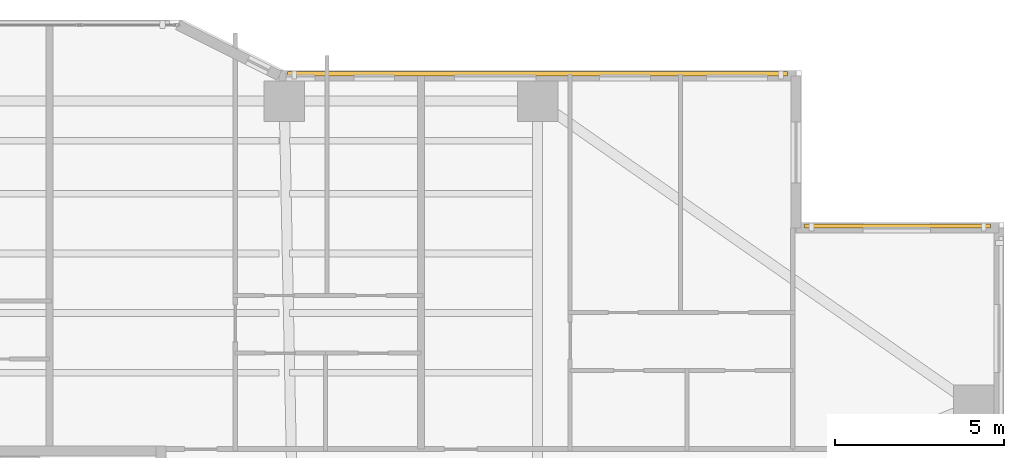
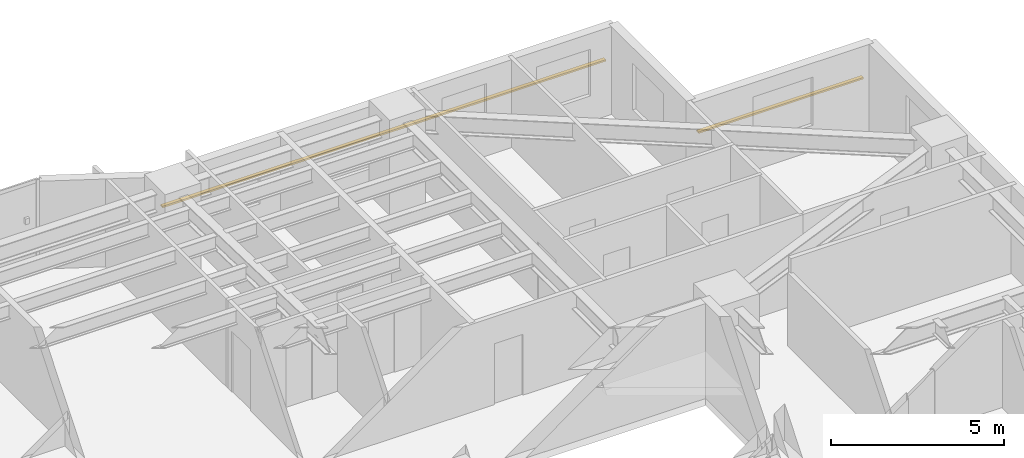
# One storey, part 22 of 22: 2 shading devices.
"""IFC4 building model written with IfcOpenShell, lengths in metres."""

from ifc_helpers import new_model, si_unit, direction, frame, origin, origin_2d, place, context, subcontext, project, spatial, rectangle, extrude, material, material_profile, profile_set, type_object, element, save


model = new_model("IFC4")

# Units and contexts
model_context = context("Model", 3, precision=1e-05, world=origin(), true_north=direction((0.0, 1.0)))
body_context = subcontext(model_context, "Body", "Model", "MODEL_VIEW")
ifc_project = project(units=[si_unit("LENGTHUNIT", "METRE"), si_unit("AREAUNIT", "SQUARE_METRE"), si_unit("VOLUMEUNIT", "CUBIC_METRE"), si_unit("PLANEANGLEUNIT", "RADIAN"), si_unit("MASSUNIT", "GRAM", prefix="KILO")], contexts=[model_context])

# Site, building, storey
site_placement = place(None, origin())
site = spatial("IfcSite", under=ifc_project, at=site_placement, CompositionType="ELEMENT")
building_placement = place(site_placement, origin())
building = spatial("IfcBuilding", under=site, at=building_placement, Name="Tarnavaz Court Tower", CompositionType="ELEMENT")
storey_placement = place(building_placement, frame((0.0, 0.0, 57.5)))
storey = spatial("IfcBuildingStorey", under=building, at=storey_placement, Name="L15", CompositionType="ELEMENT", Elevation=57.5)

# Shading devices
ifc_material = material(Name="Kiln-Fired Khorasan Terracotta Ceramic", Category="masonry")
ifc_material_profile = material_profile(ifc_material, rectangle(XDim=0.1201171875, YDim=0.06005859375, at=origin_2d()), Name="TC BAGUETTE 120X60")
ifc_profile_set = profile_set([ifc_material_profile], Name="Kiln-Fired Khorasan Terracotta Ceramic")
shading_device_type = type_object("IfcShadingDeviceType", Name="SD-BAG-120", PredefinedType="USERDEFINED", material=ifc_profile_set)
shading_device_1_placement = place(storey_placement, frame((7.60009765625, 23.610107421875, 1.85009765625), z_axis=(1.0, 0.0, 0.0), x_axis=(0.0, 1.0, 0.0)))
element("IfcShadingDevice", 1, at=shading_device_1_placement, inside=storey, type_object=shading_device_type, Name="L15 Terracotta Baguette Screen FBG09", ObjectType="BAGUETTE", PredefinedType="USERDEFINED", context=body_context, shape_type="SweptSolid", body=[
    extrude(rectangle(XDim=0.1201171875, YDim=0.06005859375, at=origin_2d()), origin(), (0.0, 0.0, 1.0), 14.7998046875),
])
shading_device_2_placement = place(storey_placement, frame((22.89990234375, 19.110107421875, 1.85009765625), z_axis=(1.0, 0.0, 0.0), x_axis=(0.0, 1.0, 0.0)))
element("IfcShadingDevice", 2, at=shading_device_2_placement, inside=storey, type_object=shading_device_type, Name="L15 Terracotta Baguette Screen FBG11", ObjectType="BAGUETTE", PredefinedType="USERDEFINED", context=body_context, shape_type="SweptSolid", body=[
    extrude(rectangle(XDim=0.1201171875, YDim=0.06005859375, at=origin_2d()), origin(), (0.0, 0.0, 1.0), 5.5),
])

save(model, "model.ifc")
